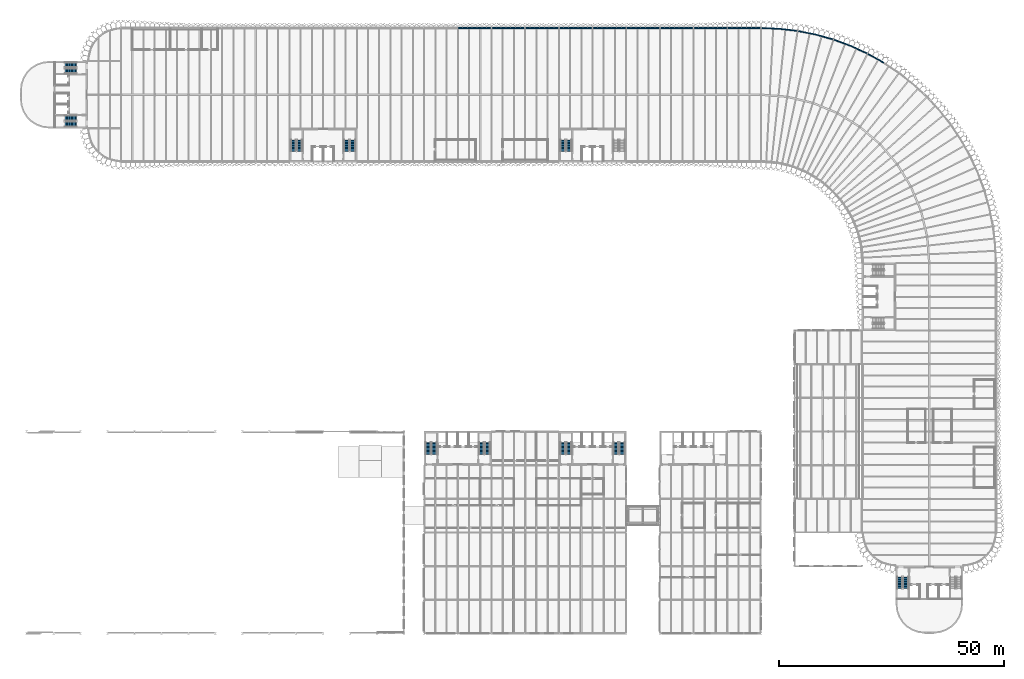
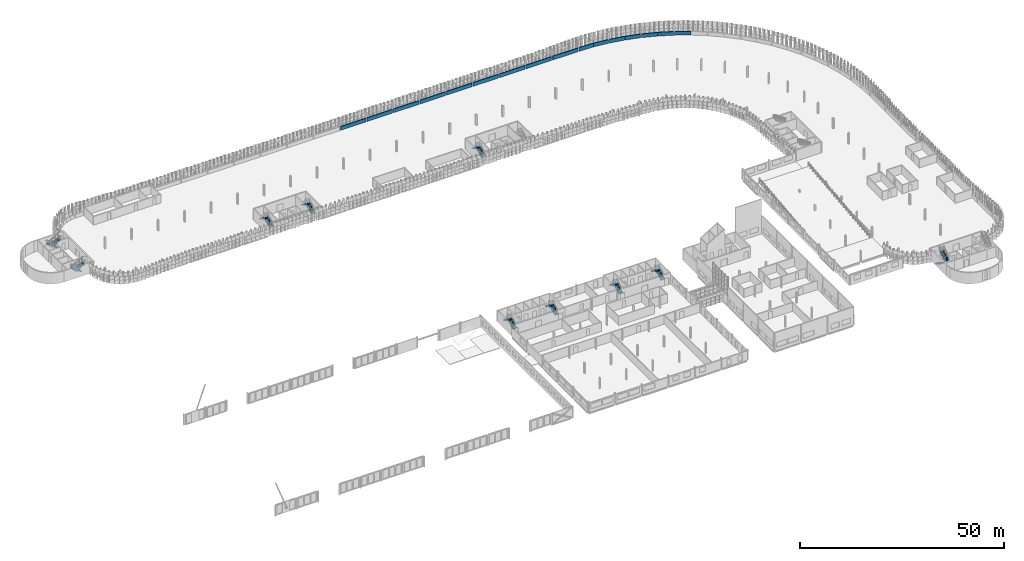
# One storey, part 61 of 198: 20 stair flights, 16 walls, 10 elements without a shape of their own.
"""IFC4 building model written with IfcOpenShell, lengths in metres."""

from ifc_helpers import new_model, si_unit, direction, frame, frame_2d, origin, place, context, subcontext, project, spatial, polyline, rectangle, outline, extrude, material, layer, layer_set, type_object, element, aggregate, save


model = new_model("IFC4")

# Units and contexts
model_context = context("Model", 3, precision=1e-05, world=origin(), true_north=direction((0.0, 1.0)))
body_context = subcontext(model_context, "Body", "Model", "MODEL_VIEW")
ifc_project = project(units=[si_unit("LENGTHUNIT", "METRE"), si_unit("AREAUNIT", "SQUARE_METRE"), si_unit("VOLUMEUNIT", "CUBIC_METRE"), si_unit("PLANEANGLEUNIT", "RADIAN"), si_unit("MASSUNIT", "GRAM", prefix="KILO")], contexts=[model_context])

# Site, building, storey
site_placement = place(None, origin())
site = spatial("IfcSite", under=ifc_project, at=site_placement, CompositionType="ELEMENT")
building_placement = place(site_placement, origin())
building = spatial("IfcBuilding", under=site, at=building_placement, Name="Parallax Yard Mobility Hub", CompositionType="ELEMENT")
storey_placement = place(building_placement, frame((0.0, 0.0, 6.60009765625)))
storey = spatial("IfcBuildingStorey", under=building, at=storey_placement, Name="L02", CompositionType="ELEMENT", Elevation=6.60009765625)

# Walls
ifc_material = material(Name="Concrete fc' 35 MPa", Category="concrete")
ifc_layer = layer(ifc_material, 0.25)
ifc_layer_set = layer_set([ifc_layer], Name="Deck-edge barrier wall, Concrete fc' 35 MPa precast, 250")
wall_type = type_object("IfcWallType", Name="Deck-edge barrier wall, Concrete fc' 35 MPa precast, 250", PredefinedType="SOLIDWALL", material=ifc_layer_set)
wall_1_placement = place(storey_placement, frame((199.847412109375, 134.638916015625, 0.0), z_axis=(0.0, 0.0, 1.0), x_axis=(-0.872675295028, 0.488300961957, 0.0)))
element("IfcWall", 1, at=wall_1_placement, inside=storey, type_object=wall_type, Name="Deck-edge barrier wall bay 47-2 level L02", PredefinedType="SOLIDWALL", context=body_context, shape_type="SweptSolid", body=[
    extrude(rectangle(XDim=3.958251953125, YDim=0.25, at=frame_2d((1.97900390625, 0.0))), origin(), (0.0, 0.0, 1.0), 1.099853515625),
])
wall_2_placement = place(storey_placement, frame((196.13330078125, 136.7041015625, 0.0), z_axis=(0.0, 0.0, 1.0), x_axis=(-0.907988262617, 0.418995602542, 0.0)))
element("IfcWall", 2, at=wall_2_placement, inside=storey, type_object=wall_type, Name="Deck-edge barrier wall bay 48-1 level L02", PredefinedType="SOLIDWALL", context=body_context, shape_type="SweptSolid", body=[
    extrude(rectangle(XDim=3.958740234375, YDim=0.25, at=frame_2d((1.9794921875, 0.0))), origin(), (0.0, 0.0, 1.0), 1.099853515625),
])
wall_3_placement = place(storey_placement, frame((192.52734375, 138.367431640625, 0.0), z_axis=(0.0, 0.0, 1.0), x_axis=(-0.93784539105, 0.347053342422, 0.0)))
element("IfcWall", 3, at=wall_3_placement, inside=storey, type_object=wall_type, Name="Deck-edge barrier wall bay 48-2 level L02", PredefinedType="SOLIDWALL", context=body_context, shape_type="SweptSolid", body=[
    extrude(rectangle(XDim=3.96044921875, YDim=0.25, at=frame_2d((1.980224609375, 0.0))), origin(), (0.0, 0.0, 1.0), 1.099853515625),
])
wall_4_placement = place(storey_placement, frame((188.5361328125, 139.831787109375, 0.0), z_axis=(0.0, 0.0, 1.0), x_axis=(-0.962732314644, 0.270456078393, 0.0)))
element("IfcWall", 4, at=wall_4_placement, inside=storey, type_object=wall_type, Name="Deck-edge barrier wall bay 49-1 level L02", PredefinedType="SOLIDWALL", context=body_context, shape_type="SweptSolid", body=[
    extrude(rectangle(XDim=3.95654296875, YDim=0.25, at=frame_2d((1.978271484375, 0.0))), origin(), (0.0, 0.0, 1.0), 1.099853515625),
])
wall_5_placement = place(storey_placement, frame((184.715087890625, 140.90478515625, 0.0), z_axis=(0.0, 0.0, 1.0), x_axis=(-0.980850156695, 0.194763882975, 0.0)))
element("IfcWall", 5, at=wall_5_placement, inside=storey, type_object=wall_type, Name="Deck-edge barrier wall bay 49-2 level L02", PredefinedType="SOLIDWALL", context=body_context, shape_type="SweptSolid", body=[
    extrude(rectangle(XDim=3.958740234375, YDim=0.25, at=frame_2d((1.9794921875, 0.0))), origin(), (0.0, 0.0, 1.0), 1.099853515625),
])
wall_6_placement = place(storey_placement, frame((180.544189453125, 141.721435546875, 0.0), z_axis=(0.0, 0.0, 1.0), x_axis=(-0.993030098497, 0.117861034608, 0.0)))
element("IfcWall", 6, at=wall_6_placement, inside=storey, type_object=wall_type, Name="Deck-edge barrier wall bay 50-1 level L02", PredefinedType="SOLIDWALL", context=body_context, shape_type="SweptSolid", body=[
    extrude(rectangle(XDim=3.95849609375, YDim=0.25, at=frame_2d((1.979248046875, 0.0))), origin(), (0.0, 0.0, 1.0), 1.099853515625),
])
wall_7_placement = place(storey_placement, frame((176.60107421875, 142.18896484375, 0.0), z_axis=(0.0, 0.0, 1.0), x_axis=(-0.999191275027, 0.040209400773, 0.0)))
element("IfcWall", 7, at=wall_7_placement, inside=storey, type_object=wall_type, Name="Deck-edge barrier wall bay 50-2 level L02", PredefinedType="SOLIDWALL", context=body_context, shape_type="SweptSolid", body=[
    extrude(rectangle(XDim=3.958740234375, YDim=0.25, at=frame_2d((1.9794921875, 0.0))), origin(), (0.0, 0.0, 1.0), 1.099853515625),
])
for number, where, z_axis, x_axis, name in (
    (8, (172.348388671875, 142.354248046875, 0.0), (0.0, 0.0, 1.0), (-1.0, 0.0, 0.0), "Deck-edge barrier wall bay 51 level L02"),
    (9, (164.848388671875, 142.354248046875, 0.0), (0.0, 0.0, 1.0), (-1.0, 0.0, 0.0), "Deck-edge barrier wall bay 52 level L02"),
    (10, (157.348388671875, 142.354248046875, 0.0), (0.0, 0.0, 1.0), (-1.0, 0.0, 0.0), "Deck-edge barrier wall bay 53 level L02"),
    (11, (149.848388671875, 142.354248046875, 0.0), (0.0, 0.0, 1.0), (-1.0, 0.0, 0.0), "Deck-edge barrier wall bay 54 level L02"),
    (12, (142.348388671875, 142.354248046875, 0.0), (0.0, 0.0, 1.0), (-1.0, 0.0, 0.0), "Deck-edge barrier wall bay 55 level L02"),
    (13, (134.848388671875, 142.354248046875, 0.0), (0.0, 0.0, 1.0), (-1.0, 0.0, 0.0), "Deck-edge barrier wall bay 56 level L02"),
    (14, (127.348388671875, 142.354248046875, 0.0), (0.0, 0.0, 1.0), (-1.0, 0.0, 0.0), "Deck-edge barrier wall bay 57 level L02"),
    (15, (119.848388671875, 142.354248046875, 0.0), (0.0, 0.0, 1.0), (-1.0, 0.0, 0.0), "Deck-edge barrier wall bay 58 level L02"),
    (16, (112.348388671875, 142.354248046875, 0.0), (0.0, 0.0, 1.0), (-1.0, 0.0, 0.0), "Deck-edge barrier wall bay 59 level L02"),
):
    element("IfcWall", number, at=place(storey_placement, frame(where, z_axis=z_axis, x_axis=x_axis)), inside=storey, type_object=wall_type, Name=name, PredefinedType="SOLIDWALL", context=body_context, shape_type="SweptSolid", body=[
        extrude(rectangle(XDim=7.19677734375, YDim=0.25, at=frame_2d((3.598388671875, 0.0))), origin(), (0.0, 0.0, 1.0), 1.099853515625),
    ])

# Stair, stair flights
stair_type_1 = type_object("IfcStairType", Name="Exit stair 1200 dog-leg", PredefinedType="HALF_TURN_STAIR", material=ifc_material)
stair_1_placement = place(storey_placement, origin())
stair_1 = element("IfcStair", 17, at=stair_1_placement, inside=storey, type_object=stair_type_1, Name="L02 Exit stair 1 of core C-W", PredefinedType="HALF_TURN_STAIR")
stair_flight_type_1 = type_object("IfcStairFlightType", Name="Exit stair flight 1200", PredefinedType="STRAIGHT", material=ifc_material)
stair_flight_1_placement = place(storey_placement, frame((20.10009765625, 122.25, 0.0), z_axis=(0.0, 0.0, 1.0), x_axis=(-1.0, 0.0, 0.0)))
stair_flight_1 = element("IfcStairFlight", 18, at=stair_flight_1_placement, type_object=stair_flight_type_1, Name="ST1 flight 1", NumberOfRisers=10, NumberOfTreads=9, PredefinedType="STRAIGHT", RiserHeight=0.165, TreadLength=0.285, context=body_context, shape_type="SweptSolid", body=[
    extrude(outline(polyline([(0.0, 0.0), (0.0, 0.1650390625), (0.284912109375, 0.1650390625), (0.284912109375, 0.330078125), (0.570068359375, 0.330078125), (0.570068359375, 0.4951171875), (0.85498046875, 0.4951171875), (0.85498046875, 0.659912109375), (1.139892578125, 0.659912109375), (1.139892578125, 0.824951171875), (1.425048828125, 0.824951171875), (1.425048828125, 0.989990234375), (1.7099609375, 0.989990234375), (1.7099609375, 1.155029296875), (1.9951171875, 1.155029296875), (1.9951171875, 1.320068359375), (2.280029296875, 1.320068359375), (2.280029296875, 1.485107421875), (2.56494140625, 1.485107421875), (2.56494140625, 1.64990234375), (2.56494140625, 1.311767578125), (0.299072265625, 0.0), (0.0, 0.0)])), frame((0.0, 0.60009765625, 0.0), z_axis=(0.0, -1.0, 0.0), x_axis=(1.0, 0.0, 0.0)), (0.0, 0.0, 1.0), 1.199951171875),
])
stair_flight_2_placement = place(storey_placement, frame((17.534912109375, 120.89990234375, 1.64990234375), z_axis=(0.0, 0.0, 1.0), x_axis=(1.0, 0.0, 0.0)))
stair_flight_2 = element("IfcStairFlight", 19, at=stair_flight_2_placement, type_object=stair_flight_type_1, Name="ST1 flight 2", NumberOfRisers=10, NumberOfTreads=9, PredefinedType="STRAIGHT", RiserHeight=0.165, TreadLength=0.285, context=body_context, shape_type="SweptSolid", body=[
    extrude(outline(polyline([(0.0, 0.0), (0.0, 0.1650390625), (0.284912109375, 0.1650390625), (0.284912109375, 0.330078125), (0.570068359375, 0.330078125), (0.570068359375, 0.4951171875), (0.85498046875, 0.4951171875), (0.85498046875, 0.659912109375), (1.139892578125, 0.659912109375), (1.139892578125, 0.824951171875), (1.425048828125, 0.824951171875), (1.425048828125, 0.989990234375), (1.7099609375, 0.989990234375), (1.7099609375, 1.155029296875), (1.9951171875, 1.155029296875), (1.9951171875, 1.320068359375), (2.280029296875, 1.320068359375), (2.280029296875, 1.485107421875), (2.56494140625, 1.485107421875), (2.56494140625, 1.64990234375), (2.56494140625, 1.311767578125), (0.299072265625, 0.0), (0.0, 0.0)])), frame((0.0, 0.60009765625, 0.0), z_axis=(0.0, -1.0, 0.0), x_axis=(1.0, 0.0, 0.0)), (0.0, 0.0, 1.0), 1.199951171875),
])
aggregate(stair_1, [stair_flight_1, stair_flight_2])

stair_2_placement = place(storey_placement, origin())
stair_2 = element("IfcStair", 20, at=stair_2_placement, inside=storey, type_object=stair_type_1, Name="L02 Exit stair 2 of core C-W", PredefinedType="HALF_TURN_STAIR")
stair_flight_3_placement = place(storey_placement, frame((20.10009765625, 134.10009765625, 0.0), z_axis=(0.0, 0.0, 1.0), x_axis=(-1.0, 0.0, 0.0)))
stair_flight_3 = element("IfcStairFlight", 21, at=stair_flight_3_placement, type_object=stair_flight_type_1, Name="ST2 flight 1", NumberOfRisers=10, NumberOfTreads=9, PredefinedType="STRAIGHT", RiserHeight=0.165, TreadLength=0.285, context=body_context, shape_type="SweptSolid", body=[
    extrude(outline(polyline([(0.0, 0.0), (0.0, 0.1650390625), (0.284912109375, 0.1650390625), (0.284912109375, 0.330078125), (0.570068359375, 0.330078125), (0.570068359375, 0.4951171875), (0.85498046875, 0.4951171875), (0.85498046875, 0.659912109375), (1.139892578125, 0.659912109375), (1.139892578125, 0.824951171875), (1.425048828125, 0.824951171875), (1.425048828125, 0.989990234375), (1.7099609375, 0.989990234375), (1.7099609375, 1.155029296875), (1.9951171875, 1.155029296875), (1.9951171875, 1.320068359375), (2.280029296875, 1.320068359375), (2.280029296875, 1.485107421875), (2.56494140625, 1.485107421875), (2.56494140625, 1.64990234375), (2.56494140625, 1.311767578125), (0.299072265625, 0.0), (0.0, 0.0)])), frame((0.0, 0.60009765625, 0.0), z_axis=(0.0, -1.0, 0.0), x_axis=(1.0, 0.0, 0.0)), (0.0, 0.0, 1.0), 1.199951171875),
])
stair_flight_4_placement = place(storey_placement, frame((17.534912109375, 132.75, 1.64990234375), z_axis=(0.0, 0.0, 1.0), x_axis=(1.0, 0.0, 0.0)))
stair_flight_4 = element("IfcStairFlight", 22, at=stair_flight_4_placement, type_object=stair_flight_type_1, Name="ST2 flight 2", NumberOfRisers=10, NumberOfTreads=9, PredefinedType="STRAIGHT", RiserHeight=0.165, TreadLength=0.285, context=body_context, shape_type="SweptSolid", body=[
    extrude(outline(polyline([(0.0, 0.0), (0.0, 0.1650390625), (0.284912109375, 0.1650390625), (0.284912109375, 0.330078125), (0.570068359375, 0.330078125), (0.570068359375, 0.4951171875), (0.85498046875, 0.4951171875), (0.85498046875, 0.659912109375), (1.139892578125, 0.659912109375), (1.139892578125, 0.824951171875), (1.425048828125, 0.824951171875), (1.425048828125, 0.989990234375), (1.7099609375, 0.989990234375), (1.7099609375, 1.155029296875), (1.9951171875, 1.155029296875), (1.9951171875, 1.320068359375), (2.280029296875, 1.320068359375), (2.280029296875, 1.485107421875), (2.56494140625, 1.485107421875), (2.56494140625, 1.64990234375), (2.56494140625, 1.311767578125), (0.299072265625, 0.0), (0.0, 0.0)])), frame((0.0, 0.60009765625, 0.0), z_axis=(0.0, -1.0, 0.0), x_axis=(1.0, 0.0, 0.0)), (0.0, 0.0, 1.0), 1.199951171875),
])
aggregate(stair_2, [stair_flight_3, stair_flight_4])

stair_3_placement = place(storey_placement, origin())
stair_3 = element("IfcStair", 23, at=stair_3_placement, inside=storey, type_object=stair_type_1, Name="L02 Exit stair 1 of core C-N1", PredefinedType="HALF_TURN_STAIR")
stair_flight_5_placement = place(storey_placement, frame((81.60009765625, 114.89990234375, 0.0), z_axis=(0.0, 0.0, 1.0), x_axis=(0.0, 1.0, 0.0)))
stair_flight_5 = element("IfcStairFlight", 24, at=stair_flight_5_placement, type_object=stair_flight_type_1, Name="ST3 flight 1", NumberOfRisers=10, NumberOfTreads=9, PredefinedType="STRAIGHT", RiserHeight=0.165, TreadLength=0.285, context=body_context, shape_type="SweptSolid", body=[
    extrude(outline(polyline([(0.0, 0.0), (0.0, 0.1650390625), (0.284912109375, 0.1650390625), (0.284912109375, 0.330078125), (0.570068359375, 0.330078125), (0.570068359375, 0.4951171875), (0.85498046875, 0.4951171875), (0.85498046875, 0.659912109375), (1.139892578125, 0.659912109375), (1.139892578125, 0.824951171875), (1.425048828125, 0.824951171875), (1.425048828125, 0.989990234375), (1.7099609375, 0.989990234375), (1.7099609375, 1.155029296875), (1.9951171875, 1.155029296875), (1.9951171875, 1.320068359375), (2.280029296875, 1.320068359375), (2.280029296875, 1.485107421875), (2.56494140625, 1.485107421875), (2.56494140625, 1.64990234375), (2.56494140625, 1.311767578125), (0.299072265625, 0.0), (0.0, 0.0)])), frame((0.0, 0.60009765625, 0.0), z_axis=(0.0, -1.0, 0.0), x_axis=(1.0, 0.0, 0.0)), (0.0, 0.0, 1.0), 1.199951171875),
])
stair_flight_6_placement = place(storey_placement, frame((80.25, 117.465087890625, 1.64990234375), z_axis=(0.0, 0.0, 1.0), x_axis=(0.0, -1.0, 0.0)))
stair_flight_6 = element("IfcStairFlight", 25, at=stair_flight_6_placement, type_object=stair_flight_type_1, Name="ST3 flight 2", NumberOfRisers=10, NumberOfTreads=9, PredefinedType="STRAIGHT", RiserHeight=0.165, TreadLength=0.285, context=body_context, shape_type="SweptSolid", body=[
    extrude(outline(polyline([(0.0, 0.0), (0.0, 0.1650390625), (0.284912109375, 0.1650390625), (0.284912109375, 0.330078125), (0.570068359375, 0.330078125), (0.570068359375, 0.4951171875), (0.85498046875, 0.4951171875), (0.85498046875, 0.659912109375), (1.139892578125, 0.659912109375), (1.139892578125, 0.824951171875), (1.425048828125, 0.824951171875), (1.425048828125, 0.989990234375), (1.7099609375, 0.989990234375), (1.7099609375, 1.155029296875), (1.9951171875, 1.155029296875), (1.9951171875, 1.320068359375), (2.280029296875, 1.320068359375), (2.280029296875, 1.485107421875), (2.56494140625, 1.485107421875), (2.56494140625, 1.64990234375), (2.56494140625, 1.311767578125), (0.299072265625, 0.0), (0.0, 0.0)])), frame((0.0, 0.60009765625, 0.0), z_axis=(0.0, -1.0, 0.0), x_axis=(1.0, 0.0, 0.0)), (0.0, 0.0, 1.0), 1.199951171875),
])
aggregate(stair_3, [stair_flight_5, stair_flight_6])

stair_4_placement = place(storey_placement, origin())
stair_4 = element("IfcStair", 26, at=stair_4_placement, inside=storey, type_object=stair_type_1, Name="L02 Exit stair 2 of core C-N1", PredefinedType="HALF_TURN_STAIR")
stair_flight_7_placement = place(storey_placement, frame((69.75, 114.89990234375, 0.0), z_axis=(0.0, 0.0, 1.0), x_axis=(0.0, 1.0, 0.0)))
stair_flight_7 = element("IfcStairFlight", 27, at=stair_flight_7_placement, type_object=stair_flight_type_1, Name="ST4 flight 1", NumberOfRisers=10, NumberOfTreads=9, PredefinedType="STRAIGHT", RiserHeight=0.165, TreadLength=0.285, context=body_context, shape_type="SweptSolid", body=[
    extrude(outline(polyline([(0.0, 0.0), (0.0, 0.1650390625), (0.284912109375, 0.1650390625), (0.284912109375, 0.330078125), (0.570068359375, 0.330078125), (0.570068359375, 0.4951171875), (0.85498046875, 0.4951171875), (0.85498046875, 0.659912109375), (1.139892578125, 0.659912109375), (1.139892578125, 0.824951171875), (1.425048828125, 0.824951171875), (1.425048828125, 0.989990234375), (1.7099609375, 0.989990234375), (1.7099609375, 1.155029296875), (1.9951171875, 1.155029296875), (1.9951171875, 1.320068359375), (2.280029296875, 1.320068359375), (2.280029296875, 1.485107421875), (2.56494140625, 1.485107421875), (2.56494140625, 1.64990234375), (2.56494140625, 1.311767578125), (0.299072265625, 0.0), (0.0, 0.0)])), frame((0.0, 0.60009765625, 0.0), z_axis=(0.0, -1.0, 0.0), x_axis=(1.0, 0.0, 0.0)), (0.0, 0.0, 1.0), 1.199951171875),
])
stair_flight_8_placement = place(storey_placement, frame((68.39990234375, 117.465087890625, 1.64990234375), z_axis=(0.0, 0.0, 1.0), x_axis=(0.0, -1.0, 0.0)))
stair_flight_8 = element("IfcStairFlight", 28, at=stair_flight_8_placement, type_object=stair_flight_type_1, Name="ST4 flight 2", NumberOfRisers=10, NumberOfTreads=9, PredefinedType="STRAIGHT", RiserHeight=0.165, TreadLength=0.285, context=body_context, shape_type="SweptSolid", body=[
    extrude(outline(polyline([(0.0, 0.0), (0.0, 0.1650390625), (0.284912109375, 0.1650390625), (0.284912109375, 0.330078125), (0.570068359375, 0.330078125), (0.570068359375, 0.4951171875), (0.85498046875, 0.4951171875), (0.85498046875, 0.659912109375), (1.139892578125, 0.659912109375), (1.139892578125, 0.824951171875), (1.425048828125, 0.824951171875), (1.425048828125, 0.989990234375), (1.7099609375, 0.989990234375), (1.7099609375, 1.155029296875), (1.9951171875, 1.155029296875), (1.9951171875, 1.320068359375), (2.280029296875, 1.320068359375), (2.280029296875, 1.485107421875), (2.56494140625, 1.485107421875), (2.56494140625, 1.64990234375), (2.56494140625, 1.311767578125), (0.299072265625, 0.0), (0.0, 0.0)])), frame((0.0, 0.60009765625, 0.0), z_axis=(0.0, -1.0, 0.0), x_axis=(1.0, 0.0, 0.0)), (0.0, 0.0, 1.0), 1.199951171875),
])
aggregate(stair_4, [stair_flight_7, stair_flight_8])

stair_5_placement = place(storey_placement, origin())
stair_5 = element("IfcStair", 29, at=stair_5_placement, inside=storey, type_object=stair_type_1, Name="L02 Exit stair 2 of core C-N2", PredefinedType="HALF_TURN_STAIR")
stair_flight_9_placement = place(storey_placement, frame((129.75, 114.89990234375, 0.0), z_axis=(0.0, 0.0, 1.0), x_axis=(0.0, 1.0, 0.0)))
stair_flight_9 = element("IfcStairFlight", 30, at=stair_flight_9_placement, type_object=stair_flight_type_1, Name="ST6 flight 1", NumberOfRisers=10, NumberOfTreads=9, PredefinedType="STRAIGHT", RiserHeight=0.165, TreadLength=0.285, context=body_context, shape_type="SweptSolid", body=[
    extrude(outline(polyline([(0.0, 0.0), (0.0, 0.1650390625), (0.284912109375, 0.1650390625), (0.284912109375, 0.330078125), (0.570068359375, 0.330078125), (0.570068359375, 0.4951171875), (0.85498046875, 0.4951171875), (0.85498046875, 0.659912109375), (1.139892578125, 0.659912109375), (1.139892578125, 0.824951171875), (1.425048828125, 0.824951171875), (1.425048828125, 0.989990234375), (1.7099609375, 0.989990234375), (1.7099609375, 1.155029296875), (1.9951171875, 1.155029296875), (1.9951171875, 1.320068359375), (2.280029296875, 1.320068359375), (2.280029296875, 1.485107421875), (2.56494140625, 1.485107421875), (2.56494140625, 1.64990234375), (2.56494140625, 1.311767578125), (0.299072265625, 0.0), (0.0, 0.0)])), frame((0.0, 0.60009765625, 0.0), z_axis=(0.0, -1.0, 0.0), x_axis=(1.0, 0.0, 0.0)), (0.0, 0.0, 1.0), 1.199951171875),
])
stair_flight_10_placement = place(storey_placement, frame((128.39990234375, 117.465087890625, 1.64990234375), z_axis=(0.0, 0.0, 1.0), x_axis=(0.0, -1.0, 0.0)))
stair_flight_10 = element("IfcStairFlight", 31, at=stair_flight_10_placement, type_object=stair_flight_type_1, Name="ST6 flight 2", NumberOfRisers=10, NumberOfTreads=9, PredefinedType="STRAIGHT", RiserHeight=0.165, TreadLength=0.285, context=body_context, shape_type="SweptSolid", body=[
    extrude(outline(polyline([(0.0, 0.0), (0.0, 0.1650390625), (0.284912109375, 0.1650390625), (0.284912109375, 0.330078125), (0.570068359375, 0.330078125), (0.570068359375, 0.4951171875), (0.85498046875, 0.4951171875), (0.85498046875, 0.659912109375), (1.139892578125, 0.659912109375), (1.139892578125, 0.824951171875), (1.425048828125, 0.824951171875), (1.425048828125, 0.989990234375), (1.7099609375, 0.989990234375), (1.7099609375, 1.155029296875), (1.9951171875, 1.155029296875), (1.9951171875, 1.320068359375), (2.280029296875, 1.320068359375), (2.280029296875, 1.485107421875), (2.56494140625, 1.485107421875), (2.56494140625, 1.64990234375), (2.56494140625, 1.311767578125), (0.299072265625, 0.0), (0.0, 0.0)])), frame((0.0, 0.60009765625, 0.0), z_axis=(0.0, -1.0, 0.0), x_axis=(1.0, 0.0, 0.0)), (0.0, 0.0, 1.0), 1.199951171875),
])
aggregate(stair_5, [stair_flight_9, stair_flight_10])

stair_6_placement = place(storey_placement, origin())
stair_6 = element("IfcStair", 32, at=stair_6_placement, inside=storey, type_object=stair_type_1, Name="L02 Exit stair 2 of core C-S", PredefinedType="HALF_TURN_STAIR")
stair_flight_11_placement = place(storey_placement, frame((203.39990234375, 20.10009765625, 0.0), z_axis=(0.0, 0.0, 1.0), x_axis=(0.0, -1.0, 0.0)))
stair_flight_11 = element("IfcStairFlight", 33, at=stair_flight_11_placement, type_object=stair_flight_type_1, Name="ST10 flight 1", NumberOfRisers=10, NumberOfTreads=9, PredefinedType="STRAIGHT", RiserHeight=0.165, TreadLength=0.285, context=body_context, shape_type="SweptSolid", body=[
    extrude(outline(polyline([(0.0, 0.0), (0.0, 0.1650390625), (0.284912109375, 0.1650390625), (0.284912109375, 0.330078125), (0.570068359375, 0.330078125), (0.570068359375, 0.4951171875), (0.85498046875, 0.4951171875), (0.85498046875, 0.659912109375), (1.139892578125, 0.659912109375), (1.139892578125, 0.824951171875), (1.425048828125, 0.824951171875), (1.425048828125, 0.989990234375), (1.7099609375, 0.989990234375), (1.7099609375, 1.155029296875), (1.9951171875, 1.155029296875), (1.9951171875, 1.320068359375), (2.280029296875, 1.320068359375), (2.280029296875, 1.485107421875), (2.56494140625, 1.485107421875), (2.56494140625, 1.64990234375), (2.56494140625, 1.311767578125), (0.299072265625, 0.0), (0.0, 0.0)])), frame((0.0, 0.60009765625, 0.0), z_axis=(0.0, -1.0, 0.0), x_axis=(1.0, 0.0, 0.0)), (0.0, 0.0, 1.0), 1.199951171875),
])
stair_flight_12_placement = place(storey_placement, frame((204.75, 17.534912109375, 1.64990234375), z_axis=(0.0, 0.0, 1.0), x_axis=(0.0, 1.0, 0.0)))
stair_flight_12 = element("IfcStairFlight", 34, at=stair_flight_12_placement, type_object=stair_flight_type_1, Name="ST10 flight 2", NumberOfRisers=10, NumberOfTreads=9, PredefinedType="STRAIGHT", RiserHeight=0.165, TreadLength=0.285, context=body_context, shape_type="SweptSolid", body=[
    extrude(outline(polyline([(0.0, 0.0), (0.0, 0.1650390625), (0.284912109375, 0.1650390625), (0.284912109375, 0.330078125), (0.570068359375, 0.330078125), (0.570068359375, 0.4951171875), (0.85498046875, 0.4951171875), (0.85498046875, 0.659912109375), (1.139892578125, 0.659912109375), (1.139892578125, 0.824951171875), (1.425048828125, 0.824951171875), (1.425048828125, 0.989990234375), (1.7099609375, 0.989990234375), (1.7099609375, 1.155029296875), (1.9951171875, 1.155029296875), (1.9951171875, 1.320068359375), (2.280029296875, 1.320068359375), (2.280029296875, 1.485107421875), (2.56494140625, 1.485107421875), (2.56494140625, 1.64990234375), (2.56494140625, 1.311767578125), (0.299072265625, 0.0), (0.0, 0.0)])), frame((0.0, 0.60009765625, 0.0), z_axis=(0.0, -1.0, 0.0), x_axis=(1.0, 0.0, 0.0)), (0.0, 0.0, 1.0), 1.199951171875),
])
aggregate(stair_6, [stair_flight_11, stair_flight_12])

stair_type_2 = type_object("IfcStairType", Name="Sports deck stair 1200 dog-leg", PredefinedType="HALF_TURN_STAIR", material=ifc_material)
stair_7_placement = place(storey_placement, origin())
stair_7 = element("IfcStair", 35, at=stair_7_placement, inside=storey, type_object=stair_type_2, Name="L02 Exit stair 1 of core C6-W", PredefinedType="HALF_TURN_STAIR")
stair_flight_type_2 = type_object("IfcStairFlightType", Name="Sports deck stair flight 1200", PredefinedType="STRAIGHT", material=ifc_material)
stair_flight_13_placement = place(storey_placement, frame((99.75, 47.39990234375, 0.0), z_axis=(0.0, 0.0, 1.0), x_axis=(0.0, 1.0, 0.0)))
stair_flight_13 = element("IfcStairFlight", 36, at=stair_flight_13_placement, type_object=stair_flight_type_2, Name="ST11 flight 1", NumberOfRisers=10, NumberOfTreads=9, PredefinedType="STRAIGHT", RiserHeight=0.165, TreadLength=0.3, context=body_context, shape_type="SweptSolid", body=[
    extrude(outline(polyline([(0.0, 0.0), (0.0, 0.1650390625), (0.300048828125, 0.1650390625), (0.300048828125, 0.330078125), (0.60009765625, 0.330078125), (0.60009765625, 0.4951171875), (0.89990234375, 0.4951171875), (0.89990234375, 0.659912109375), (1.199951171875, 0.659912109375), (1.199951171875, 0.824951171875), (1.5, 0.824951171875), (1.5, 0.989990234375), (1.800048828125, 0.989990234375), (1.800048828125, 1.155029296875), (2.10009765625, 1.155029296875), (2.10009765625, 1.320068359375), (2.39990234375, 1.320068359375), (2.39990234375, 1.485107421875), (2.699951171875, 1.485107421875), (2.699951171875, 1.64990234375), (2.699951171875, 1.31396484375), (0.31103515625, 0.0), (0.0, 0.0)])), frame((0.0, 0.60009765625, 0.0), z_axis=(0.0, -1.0, 0.0), x_axis=(1.0, 0.0, 0.0)), (0.0, 0.0, 1.0), 1.199951171875),
])
stair_flight_14_placement = place(storey_placement, frame((98.39990234375, 50.10009765625, 1.64990234375), z_axis=(0.0, 0.0, 1.0), x_axis=(0.0, -1.0, 0.0)))
stair_flight_14 = element("IfcStairFlight", 37, at=stair_flight_14_placement, type_object=stair_flight_type_2, Name="ST11 flight 2", NumberOfRisers=10, NumberOfTreads=9, PredefinedType="STRAIGHT", RiserHeight=0.165, TreadLength=0.3, context=body_context, shape_type="SweptSolid", body=[
    extrude(outline(polyline([(0.0, 0.0), (0.0, 0.1650390625), (0.300048828125, 0.1650390625), (0.300048828125, 0.330078125), (0.60009765625, 0.330078125), (0.60009765625, 0.4951171875), (0.89990234375, 0.4951171875), (0.89990234375, 0.659912109375), (1.199951171875, 0.659912109375), (1.199951171875, 0.824951171875), (1.5, 0.824951171875), (1.5, 0.989990234375), (1.800048828125, 0.989990234375), (1.800048828125, 1.155029296875), (2.10009765625, 1.155029296875), (2.10009765625, 1.320068359375), (2.39990234375, 1.320068359375), (2.39990234375, 1.485107421875), (2.699951171875, 1.485107421875), (2.699951171875, 1.64990234375), (2.699951171875, 1.31396484375), (0.31103515625, 0.0), (0.0, 0.0)])), frame((0.0, 0.60009765625, 0.0), z_axis=(0.0, -1.0, 0.0), x_axis=(1.0, 0.0, 0.0)), (0.0, 0.0, 1.0), 1.199951171875),
])
aggregate(stair_7, [stair_flight_13, stair_flight_14])

stair_8_placement = place(storey_placement, origin())
stair_8 = element("IfcStair", 38, at=stair_8_placement, inside=storey, type_object=stair_type_2, Name="L02 Exit stair 2 of core C6-W", PredefinedType="HALF_TURN_STAIR")
stair_flight_15_placement = place(storey_placement, frame((111.60009765625, 47.39990234375, 0.0), z_axis=(0.0, 0.0, 1.0), x_axis=(0.0, 1.0, 0.0)))
stair_flight_15 = element("IfcStairFlight", 39, at=stair_flight_15_placement, type_object=stair_flight_type_2, Name="ST12 flight 1", NumberOfRisers=10, NumberOfTreads=9, PredefinedType="STRAIGHT", RiserHeight=0.165, TreadLength=0.3, context=body_context, shape_type="SweptSolid", body=[
    extrude(outline(polyline([(0.0, 0.0), (0.0, 0.1650390625), (0.300048828125, 0.1650390625), (0.300048828125, 0.330078125), (0.60009765625, 0.330078125), (0.60009765625, 0.4951171875), (0.89990234375, 0.4951171875), (0.89990234375, 0.659912109375), (1.199951171875, 0.659912109375), (1.199951171875, 0.824951171875), (1.5, 0.824951171875), (1.5, 0.989990234375), (1.800048828125, 0.989990234375), (1.800048828125, 1.155029296875), (2.10009765625, 1.155029296875), (2.10009765625, 1.320068359375), (2.39990234375, 1.320068359375), (2.39990234375, 1.485107421875), (2.699951171875, 1.485107421875), (2.699951171875, 1.64990234375), (2.699951171875, 1.31396484375), (0.31103515625, 0.0), (0.0, 0.0)])), frame((0.0, 0.60009765625, 0.0), z_axis=(0.0, -1.0, 0.0), x_axis=(1.0, 0.0, 0.0)), (0.0, 0.0, 1.0), 1.199951171875),
])
stair_flight_16_placement = place(storey_placement, frame((110.25, 50.10009765625, 1.64990234375), z_axis=(0.0, 0.0, 1.0), x_axis=(0.0, -1.0, 0.0)))
stair_flight_16 = element("IfcStairFlight", 40, at=stair_flight_16_placement, type_object=stair_flight_type_2, Name="ST12 flight 2", NumberOfRisers=10, NumberOfTreads=9, PredefinedType="STRAIGHT", RiserHeight=0.165, TreadLength=0.3, context=body_context, shape_type="SweptSolid", body=[
    extrude(outline(polyline([(0.0, 0.0), (0.0, 0.1650390625), (0.300048828125, 0.1650390625), (0.300048828125, 0.330078125), (0.60009765625, 0.330078125), (0.60009765625, 0.4951171875), (0.89990234375, 0.4951171875), (0.89990234375, 0.659912109375), (1.199951171875, 0.659912109375), (1.199951171875, 0.824951171875), (1.5, 0.824951171875), (1.5, 0.989990234375), (1.800048828125, 0.989990234375), (1.800048828125, 1.155029296875), (2.10009765625, 1.155029296875), (2.10009765625, 1.320068359375), (2.39990234375, 1.320068359375), (2.39990234375, 1.485107421875), (2.699951171875, 1.485107421875), (2.699951171875, 1.64990234375), (2.699951171875, 1.31396484375), (0.31103515625, 0.0), (0.0, 0.0)])), frame((0.0, 0.60009765625, 0.0), z_axis=(0.0, -1.0, 0.0), x_axis=(1.0, 0.0, 0.0)), (0.0, 0.0, 1.0), 1.199951171875),
])
aggregate(stair_8, [stair_flight_15, stair_flight_16])

stair_9_placement = place(storey_placement, origin())
stair_9 = element("IfcStair", 41, at=stair_9_placement, inside=storey, type_object=stair_type_2, Name="L02 Exit stair 1 of core C6-E", PredefinedType="HALF_TURN_STAIR")
stair_flight_17_placement = place(storey_placement, frame((129.75, 47.39990234375, 0.0), z_axis=(0.0, 0.0, 1.0), x_axis=(0.0, 1.0, 0.0)))
stair_flight_17 = element("IfcStairFlight", 42, at=stair_flight_17_placement, type_object=stair_flight_type_2, Name="ST13 flight 1", NumberOfRisers=10, NumberOfTreads=9, PredefinedType="STRAIGHT", RiserHeight=0.165, TreadLength=0.3, context=body_context, shape_type="SweptSolid", body=[
    extrude(outline(polyline([(0.0, 0.0), (0.0, 0.1650390625), (0.300048828125, 0.1650390625), (0.300048828125, 0.330078125), (0.60009765625, 0.330078125), (0.60009765625, 0.4951171875), (0.89990234375, 0.4951171875), (0.89990234375, 0.659912109375), (1.199951171875, 0.659912109375), (1.199951171875, 0.824951171875), (1.5, 0.824951171875), (1.5, 0.989990234375), (1.800048828125, 0.989990234375), (1.800048828125, 1.155029296875), (2.10009765625, 1.155029296875), (2.10009765625, 1.320068359375), (2.39990234375, 1.320068359375), (2.39990234375, 1.485107421875), (2.699951171875, 1.485107421875), (2.699951171875, 1.64990234375), (2.699951171875, 1.31396484375), (0.31103515625, 0.0), (0.0, 0.0)])), frame((0.0, 0.60009765625, 0.0), z_axis=(0.0, -1.0, 0.0), x_axis=(1.0, 0.0, 0.0)), (0.0, 0.0, 1.0), 1.199951171875),
])
stair_flight_18_placement = place(storey_placement, frame((128.39990234375, 50.10009765625, 1.64990234375), z_axis=(0.0, 0.0, 1.0), x_axis=(0.0, -1.0, 0.0)))
stair_flight_18 = element("IfcStairFlight", 43, at=stair_flight_18_placement, type_object=stair_flight_type_2, Name="ST13 flight 2", NumberOfRisers=10, NumberOfTreads=9, PredefinedType="STRAIGHT", RiserHeight=0.165, TreadLength=0.3, context=body_context, shape_type="SweptSolid", body=[
    extrude(outline(polyline([(0.0, 0.0), (0.0, 0.1650390625), (0.300048828125, 0.1650390625), (0.300048828125, 0.330078125), (0.60009765625, 0.330078125), (0.60009765625, 0.4951171875), (0.89990234375, 0.4951171875), (0.89990234375, 0.659912109375), (1.199951171875, 0.659912109375), (1.199951171875, 0.824951171875), (1.5, 0.824951171875), (1.5, 0.989990234375), (1.800048828125, 0.989990234375), (1.800048828125, 1.155029296875), (2.10009765625, 1.155029296875), (2.10009765625, 1.320068359375), (2.39990234375, 1.320068359375), (2.39990234375, 1.485107421875), (2.699951171875, 1.485107421875), (2.699951171875, 1.64990234375), (2.699951171875, 1.31396484375), (0.31103515625, 0.0), (0.0, 0.0)])), frame((0.0, 0.60009765625, 0.0), z_axis=(0.0, -1.0, 0.0), x_axis=(1.0, 0.0, 0.0)), (0.0, 0.0, 1.0), 1.199951171875),
])
aggregate(stair_9, [stair_flight_17, stair_flight_18])

stair_10_placement = place(storey_placement, origin())
stair_10 = element("IfcStair", 44, at=stair_10_placement, inside=storey, type_object=stair_type_2, Name="L02 Exit stair 2 of core C6-E", PredefinedType="HALF_TURN_STAIR")
stair_flight_19_placement = place(storey_placement, frame((141.60009765625, 47.39990234375, 0.0), z_axis=(0.0, 0.0, 1.0), x_axis=(0.0, 1.0, 0.0)))
stair_flight_19 = element("IfcStairFlight", 45, at=stair_flight_19_placement, type_object=stair_flight_type_2, Name="ST14 flight 1", NumberOfRisers=10, NumberOfTreads=9, PredefinedType="STRAIGHT", RiserHeight=0.165, TreadLength=0.3, context=body_context, shape_type="SweptSolid", body=[
    extrude(outline(polyline([(0.0, 0.0), (0.0, 0.1650390625), (0.300048828125, 0.1650390625), (0.300048828125, 0.330078125), (0.60009765625, 0.330078125), (0.60009765625, 0.4951171875), (0.89990234375, 0.4951171875), (0.89990234375, 0.659912109375), (1.199951171875, 0.659912109375), (1.199951171875, 0.824951171875), (1.5, 0.824951171875), (1.5, 0.989990234375), (1.800048828125, 0.989990234375), (1.800048828125, 1.155029296875), (2.10009765625, 1.155029296875), (2.10009765625, 1.320068359375), (2.39990234375, 1.320068359375), (2.39990234375, 1.485107421875), (2.699951171875, 1.485107421875), (2.699951171875, 1.64990234375), (2.699951171875, 1.31396484375), (0.31103515625, 0.0), (0.0, 0.0)])), frame((0.0, 0.60009765625, 0.0), z_axis=(0.0, -1.0, 0.0), x_axis=(1.0, 0.0, 0.0)), (0.0, 0.0, 1.0), 1.199951171875),
])
stair_flight_20_placement = place(storey_placement, frame((140.25, 50.10009765625, 1.64990234375), z_axis=(0.0, 0.0, 1.0), x_axis=(0.0, -1.0, 0.0)))
stair_flight_20 = element("IfcStairFlight", 46, at=stair_flight_20_placement, type_object=stair_flight_type_2, Name="ST14 flight 2", NumberOfRisers=10, NumberOfTreads=9, PredefinedType="STRAIGHT", RiserHeight=0.165, TreadLength=0.3, context=body_context, shape_type="SweptSolid", body=[
    extrude(outline(polyline([(0.0, 0.0), (0.0, 0.1650390625), (0.300048828125, 0.1650390625), (0.300048828125, 0.330078125), (0.60009765625, 0.330078125), (0.60009765625, 0.4951171875), (0.89990234375, 0.4951171875), (0.89990234375, 0.659912109375), (1.199951171875, 0.659912109375), (1.199951171875, 0.824951171875), (1.5, 0.824951171875), (1.5, 0.989990234375), (1.800048828125, 0.989990234375), (1.800048828125, 1.155029296875), (2.10009765625, 1.155029296875), (2.10009765625, 1.320068359375), (2.39990234375, 1.320068359375), (2.39990234375, 1.485107421875), (2.699951171875, 1.485107421875), (2.699951171875, 1.64990234375), (2.699951171875, 1.31396484375), (0.31103515625, 0.0), (0.0, 0.0)])), frame((0.0, 0.60009765625, 0.0), z_axis=(0.0, -1.0, 0.0), x_axis=(1.0, 0.0, 0.0)), (0.0, 0.0, 1.0), 1.199951171875),
])
aggregate(stair_10, [stair_flight_19, stair_flight_20])

save(model, "model.ifc")
